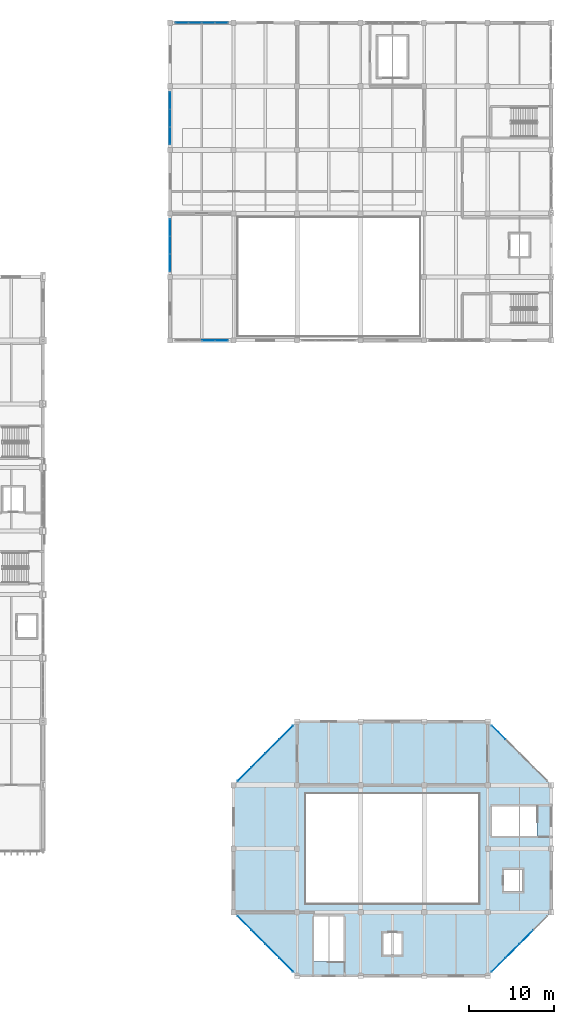
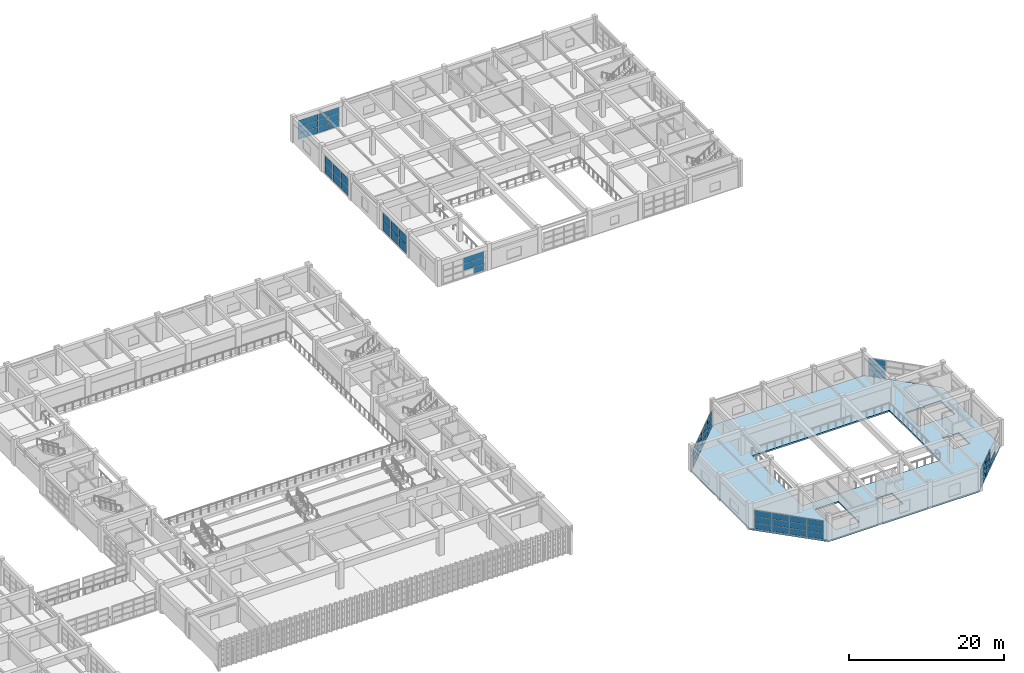
# One storey, part 84 of 124: 63 plates, 1 slab, 8 elements without a shape of their own.
"""IFC4 building model written with IfcOpenShell, lengths in metres."""

from ifc_helpers import new_model, si_unit, direction, frame, origin, origin_2d, place, context, subcontext, project, spatial, polyline, rectangle, outline, extrude, material, layer, layer_set, type_object, element, aggregate, save


model = new_model("IFC4")

# Units and contexts
model_context = context("Model", 3, precision=1e-05, world=origin(), true_north=direction((0.0, 1.0)))
body_context = subcontext(model_context, "Body", "Model", "MODEL_VIEW")
ifc_project = project(units=[si_unit("LENGTHUNIT", "METRE"), si_unit("AREAUNIT", "SQUARE_METRE"), si_unit("VOLUMEUNIT", "CUBIC_METRE"), si_unit("PLANEANGLEUNIT", "RADIAN"), si_unit("MASSUNIT", "GRAM", prefix="KILO")], contexts=[model_context])

# Site, building, storey
site_placement = place(None, origin())
site = spatial("IfcSite", under=ifc_project, at=site_placement, CompositionType="ELEMENT")
building_placement = place(site_placement, origin())
building = spatial("IfcBuilding", under=site, at=building_placement, Name="Qasida Concert Hall", CompositionType="ELEMENT")
storey_placement = place(building_placement, frame((0.0, 0.0, 9.0)))
storey = spatial("IfcBuildingStorey", under=building, at=storey_placement, Name="L02", CompositionType="ELEMENT", Elevation=9.0)

# Curtain wall, plates
ifc_material_1 = material(Name="Architectural bronze-anodized aluminium and low-E glass", Category="aluminium")
curtain_wall_type_1 = type_object("IfcCurtainWallType", Name="CW-07", PredefinedType="NOTDEFINED", material=ifc_material_1)
curtain_wall_1_placement = place(storey_placement, origin())
curtain_wall_1 = element("IfcCurtainWall", 1, at=curtain_wall_1_placement, inside=storey, type_object=curtain_wall_type_1, Name="L02 curtain wall CW-07 0147", PredefinedType="NOTDEFINED")
ifc_material_2 = material(Name="Solar-control low-E double glazing", Category="glass")
ifc_layer_1 = layer(ifc_material_2, 0.031982421875, Name="Solar-control low-E double glazing")
ifc_layer_set_1 = layer_set([ifc_layer_1], Name="Solar-control low-E double glazing")
plate_type_1 = type_object("IfcPlateType", Name="PLT-CWP-2", PredefinedType="CURTAIN_PANEL", material=ifc_layer_set_1)
plate_1_placement = place(storey_placement, frame((158.77783203125, 1.27783203125, 0.06005859375), z_axis=(0.0, 0.0, 1.0), x_axis=(0.707106781187, 0.707106781187, 0.0)))
plate_1 = element("IfcPlate", 2, at=plate_1_placement, type_object=plate_type_1, Name="CW-07 panel 1.1", PredefinedType="CURTAIN_PANEL", context=body_context, shape_type="SweptSolid", body=[
    extrude(rectangle(XDim=2.244140625, YDim=0.031982421875, at=origin_2d()), origin(), (0.0, 0.0, 1.0), 0.88330078125),
])
plate_2_placement = place(storey_placement, frame((158.77783203125, 1.27783203125, 1.00341796875), z_axis=(0.0, 0.0, 1.0), x_axis=(0.707106781187, 0.707106781187, 0.0)))
plate_2 = element("IfcPlate", 3, at=plate_2_placement, type_object=plate_type_1, Name="CW-07 panel 1.2", PredefinedType="CURTAIN_PANEL", context=body_context, shape_type="SweptSolid", body=[
    extrude(rectangle(XDim=2.244140625, YDim=0.031982421875, at=origin_2d()), origin(), (0.0, 0.0, 1.0), 0.913330078125),
])
plate_3_placement = place(storey_placement, frame((158.77783203125, 1.27783203125, 1.976806640625), z_axis=(0.0, 0.0, 1.0), x_axis=(0.707106781187, 0.707106781187, 0.0)))
plate_3 = element("IfcPlate", 4, at=plate_3_placement, type_object=plate_type_1, Name="CW-07 panel 1.3", PredefinedType="CURTAIN_PANEL", context=body_context, shape_type="SweptSolid", body=[
    extrude(rectangle(XDim=2.244140625, YDim=0.031982421875, at=origin_2d()), origin(), (0.0, 0.0, 1.0), 0.88330078125),
])
plate_4_placement = place(storey_placement, frame((160.422119140625, 2.922119140625, 0.06005859375), z_axis=(0.0, 0.0, 1.0), x_axis=(0.707106781187, 0.707106781187, 0.0)))
plate_4 = element("IfcPlate", 5, at=plate_4_placement, type_object=plate_type_1, Name="CW-07 panel 2.1", PredefinedType="CURTAIN_PANEL", context=body_context, shape_type="SweptSolid", body=[
    extrude(rectangle(XDim=2.276611328125, YDim=0.031982421875, at=origin_2d()), origin(), (0.0, 0.0, 1.0), 0.88330078125),
])
plate_5_placement = place(storey_placement, frame((160.422119140625, 2.922119140625, 1.00341796875), z_axis=(0.0, 0.0, 1.0), x_axis=(0.707106781187, 0.707106781187, 0.0)))
plate_5 = element("IfcPlate", 6, at=plate_5_placement, type_object=plate_type_1, Name="CW-07 panel 2.2", PredefinedType="CURTAIN_PANEL", context=body_context, shape_type="SweptSolid", body=[
    extrude(rectangle(XDim=2.276611328125, YDim=0.031982421875, at=origin_2d()), origin(), (0.0, 0.0, 1.0), 0.913330078125),
])
plate_6_placement = place(storey_placement, frame((160.422119140625, 2.922119140625, 1.976806640625), z_axis=(0.0, 0.0, 1.0), x_axis=(0.707106781187, 0.707106781187, 0.0)))
plate_6 = element("IfcPlate", 7, at=plate_6_placement, type_object=plate_type_1, Name="CW-07 panel 2.3", PredefinedType="CURTAIN_PANEL", context=body_context, shape_type="SweptSolid", body=[
    extrude(rectangle(XDim=2.276611328125, YDim=0.031982421875, at=origin_2d()), origin(), (0.0, 0.0, 1.0), 0.88330078125),
])
plate_7_placement = place(storey_placement, frame((162.077880859375, 4.577880859375, 0.06005859375), z_axis=(0.0, 0.0, 1.0), x_axis=(0.707106781187, 0.707106781187, 0.0)))
plate_7 = element("IfcPlate", 8, at=plate_7_placement, type_object=plate_type_1, Name="CW-07 panel 3.1", PredefinedType="CURTAIN_PANEL", context=body_context, shape_type="SweptSolid", body=[
    extrude(rectangle(XDim=2.276611328125, YDim=0.031982421875, at=origin_2d()), origin(), (0.0, 0.0, 1.0), 0.88330078125),
])
aggregate(curtain_wall_1, [plate_1, plate_2, plate_3, plate_4, plate_5, plate_6, plate_7])

curtain_wall_2_placement = place(storey_placement, origin())
curtain_wall_2 = element("IfcCurtainWall", 9, at=curtain_wall_2_placement, inside=storey, type_object=curtain_wall_type_1, Name="L02 curtain wall CW-07 0148", PredefinedType="NOTDEFINED")
plate_8_placement = place(storey_placement, frame((158.77783203125, 28.72216796875, 0.06005859375), z_axis=(0.0, 0.0, 1.0), x_axis=(-0.707106781187, 0.707106781187, 0.0)))
plate_8 = element("IfcPlate", 10, at=plate_8_placement, type_object=plate_type_1, Name="CW-07 panel 4.1", PredefinedType="CURTAIN_PANEL", context=body_context, shape_type="SweptSolid", body=[
    extrude(rectangle(XDim=2.244140625, YDim=0.031982421875, at=origin_2d()), origin(), (0.0, 0.0, 1.0), 0.88330078125),
])
plate_9_placement = place(storey_placement, frame((158.77783203125, 28.72216796875, 1.00341796875), z_axis=(0.0, 0.0, 1.0), x_axis=(-0.707106781187, 0.707106781187, 0.0)))
plate_9 = element("IfcPlate", 11, at=plate_9_placement, type_object=plate_type_1, Name="CW-07 panel 4.2", PredefinedType="CURTAIN_PANEL", context=body_context, shape_type="SweptSolid", body=[
    extrude(rectangle(XDim=2.244140625, YDim=0.031982421875, at=origin_2d()), origin(), (0.0, 0.0, 1.0), 0.913330078125),
])
plate_10_placement = place(storey_placement, frame((158.77783203125, 28.72216796875, 1.976806640625), z_axis=(0.0, 0.0, 1.0), x_axis=(-0.707106781187, 0.707106781187, 0.0)))
plate_10 = element("IfcPlate", 12, at=plate_10_placement, type_object=plate_type_1, Name="CW-07 panel 4.3", PredefinedType="CURTAIN_PANEL", context=body_context, shape_type="SweptSolid", body=[
    extrude(rectangle(XDim=2.244140625, YDim=0.031982421875, at=origin_2d()), origin(), (0.0, 0.0, 1.0), 0.88330078125),
])
aggregate(curtain_wall_2, [plate_8, plate_9, plate_10])

curtain_wall_3_placement = place(storey_placement, origin())
curtain_wall_3 = element("IfcCurtainWall", 13, at=curtain_wall_3_placement, inside=storey, type_object=curtain_wall_type_1, Name="L02 curtain wall CW-07 0149", PredefinedType="NOTDEFINED")
plate_11_placement = place(storey_placement, frame((133.72216796875, 28.72216796875, 0.06005859375), z_axis=(0.0, 0.0, 1.0), x_axis=(-0.707106781187, -0.707106781187, 0.0)))
plate_11 = element("IfcPlate", 14, at=plate_11_placement, type_object=plate_type_1, Name="CW-07 panel 1.1", PredefinedType="CURTAIN_PANEL", context=body_context, shape_type="SweptSolid", body=[
    extrude(rectangle(XDim=2.244140625, YDim=0.031982421875, at=origin_2d()), origin(), (0.0, 0.0, 1.0), 0.85009765625),
])
plate_12_placement = place(storey_placement, frame((133.72216796875, 28.72216796875, 0.969970703125), z_axis=(0.0, 0.0, 1.0), x_axis=(-0.707106781187, -0.707106781187, 0.0)))
plate_12 = element("IfcPlate", 15, at=plate_12_placement, type_object=plate_type_1, Name="CW-07 panel 1.2", PredefinedType="CURTAIN_PANEL", context=body_context, shape_type="SweptSolid", body=[
    extrude(rectangle(XDim=2.244140625, YDim=0.031982421875, at=origin_2d()), origin(), (0.0, 0.0, 1.0), 0.8798828125),
])
plate_13_placement = place(storey_placement, frame((133.72216796875, 28.72216796875, 1.909912109375), z_axis=(0.0, 0.0, 1.0), x_axis=(-0.707106781187, -0.707106781187, 0.0)))
plate_13 = element("IfcPlate", 16, at=plate_13_placement, type_object=plate_type_1, Name="CW-07 panel 1.3", PredefinedType="CURTAIN_PANEL", context=body_context, shape_type="SweptSolid", body=[
    extrude(rectangle(XDim=2.244140625, YDim=0.031982421875, at=origin_2d()), origin(), (0.0, 0.0, 1.0), 0.85009765625),
])
plate_14_placement = place(storey_placement, frame((132.077880859375, 27.077880859375, 0.06005859375), z_axis=(0.0, 0.0, 1.0), x_axis=(-0.707106781187, -0.707106781187, 0.0)))
plate_14 = element("IfcPlate", 17, at=plate_14_placement, type_object=plate_type_1, Name="CW-07 panel 2.1", PredefinedType="CURTAIN_PANEL", context=body_context, shape_type="SweptSolid", body=[
    extrude(rectangle(XDim=2.276611328125, YDim=0.031982421875, at=origin_2d()), origin(), (0.0, 0.0, 1.0), 0.85009765625),
])
plate_15_placement = place(storey_placement, frame((132.077880859375, 27.077880859375, 0.969970703125), z_axis=(0.0, 0.0, 1.0), x_axis=(-0.707106781187, -0.707106781187, 0.0)))
plate_15 = element("IfcPlate", 18, at=plate_15_placement, type_object=plate_type_1, Name="CW-07 panel 2.2", PredefinedType="CURTAIN_PANEL", context=body_context, shape_type="SweptSolid", body=[
    extrude(rectangle(XDim=2.276611328125, YDim=0.031982421875, at=origin_2d()), origin(), (0.0, 0.0, 1.0), 0.8798828125),
])
plate_16_placement = place(storey_placement, frame((132.077880859375, 27.077880859375, 1.909912109375), z_axis=(0.0, 0.0, 1.0), x_axis=(-0.707106781187, -0.707106781187, 0.0)))
plate_16 = element("IfcPlate", 19, at=plate_16_placement, type_object=plate_type_1, Name="CW-07 panel 2.3", PredefinedType="CURTAIN_PANEL", context=body_context, shape_type="SweptSolid", body=[
    extrude(rectangle(XDim=2.276611328125, YDim=0.031982421875, at=origin_2d()), origin(), (0.0, 0.0, 1.0), 0.85009765625),
])
plate_17_placement = place(storey_placement, frame((130.422119140625, 25.422119140625, 0.06005859375), z_axis=(0.0, 0.0, 1.0), x_axis=(-0.707106781187, -0.707106781187, 0.0)))
plate_17 = element("IfcPlate", 20, at=plate_17_placement, type_object=plate_type_1, Name="CW-07 panel 3.1", PredefinedType="CURTAIN_PANEL", context=body_context, shape_type="SweptSolid", body=[
    extrude(rectangle(XDim=2.276611328125, YDim=0.031982421875, at=origin_2d()), origin(), (0.0, 0.0, 1.0), 0.85009765625),
])
plate_18_placement = place(storey_placement, frame((130.422119140625, 25.422119140625, 0.969970703125), z_axis=(0.0, 0.0, 1.0), x_axis=(-0.707106781187, -0.707106781187, 0.0)))
plate_18 = element("IfcPlate", 21, at=plate_18_placement, type_object=plate_type_1, Name="CW-07 panel 3.2", PredefinedType="CURTAIN_PANEL", context=body_context, shape_type="SweptSolid", body=[
    extrude(rectangle(XDim=2.276611328125, YDim=0.031982421875, at=origin_2d()), origin(), (0.0, 0.0, 1.0), 0.8798828125),
])
plate_19_placement = place(storey_placement, frame((130.422119140625, 25.422119140625, 1.909912109375), z_axis=(0.0, 0.0, 1.0), x_axis=(-0.707106781187, -0.707106781187, 0.0)))
plate_19 = element("IfcPlate", 22, at=plate_19_placement, type_object=plate_type_1, Name="CW-07 panel 3.3", PredefinedType="CURTAIN_PANEL", context=body_context, shape_type="SweptSolid", body=[
    extrude(rectangle(XDim=2.276611328125, YDim=0.031982421875, at=origin_2d()), origin(), (0.0, 0.0, 1.0), 0.85009765625),
])
plate_20_placement = place(storey_placement, frame((128.77783203125, 23.77783203125, 0.06005859375), z_axis=(0.0, 0.0, 1.0), x_axis=(-0.707106781187, -0.707106781187, 0.0)))
plate_20 = element("IfcPlate", 23, at=plate_20_placement, type_object=plate_type_1, Name="CW-07 panel 4.1", PredefinedType="CURTAIN_PANEL", context=body_context, shape_type="SweptSolid", body=[
    extrude(rectangle(XDim=2.244140625, YDim=0.031982421875, at=origin_2d()), origin(), (0.0, 0.0, 1.0), 0.85009765625),
])
plate_21_placement = place(storey_placement, frame((128.77783203125, 23.77783203125, 0.969970703125), z_axis=(0.0, 0.0, 1.0), x_axis=(-0.707106781187, -0.707106781187, 0.0)))
plate_21 = element("IfcPlate", 24, at=plate_21_placement, type_object=plate_type_1, Name="CW-07 panel 4.2", PredefinedType="CURTAIN_PANEL", context=body_context, shape_type="SweptSolid", body=[
    extrude(rectangle(XDim=2.244140625, YDim=0.031982421875, at=origin_2d()), origin(), (0.0, 0.0, 1.0), 0.8798828125),
])
plate_22_placement = place(storey_placement, frame((128.77783203125, 23.77783203125, 1.909912109375), z_axis=(0.0, 0.0, 1.0), x_axis=(-0.707106781187, -0.707106781187, 0.0)))
plate_22 = element("IfcPlate", 25, at=plate_22_placement, type_object=plate_type_1, Name="CW-07 panel 4.3", PredefinedType="CURTAIN_PANEL", context=body_context, shape_type="SweptSolid", body=[
    extrude(rectangle(XDim=2.244140625, YDim=0.031982421875, at=origin_2d()), origin(), (0.0, 0.0, 1.0), 0.85009765625),
])
aggregate(curtain_wall_3, [plate_11, plate_12, plate_13, plate_14, plate_15, plate_16, plate_17, plate_18, plate_19, plate_20, plate_21, plate_22])

curtain_wall_4_placement = place(storey_placement, origin())
curtain_wall_4 = element("IfcCurtainWall", 26, at=curtain_wall_4_placement, inside=storey, type_object=curtain_wall_type_1, Name="L02 curtain wall CW-07 0150", PredefinedType="NOTDEFINED")
plate_23_placement = place(storey_placement, frame((128.77783203125, 6.22216796875, 0.06005859375), z_axis=(0.0, 0.0, 1.0), x_axis=(0.707106781187, -0.707106781187, 0.0)))
plate_23 = element("IfcPlate", 27, at=plate_23_placement, type_object=plate_type_1, Name="CW-07 panel 1.1", PredefinedType="CURTAIN_PANEL", context=body_context, shape_type="SweptSolid", body=[
    extrude(rectangle(XDim=2.244140625, YDim=0.031982421875, at=origin_2d()), origin(), (0.0, 0.0, 1.0), 0.916748046875),
])
plate_24_placement = place(storey_placement, frame((128.77783203125, 6.22216796875, 1.03662109375), z_axis=(0.0, 0.0, 1.0), x_axis=(0.707106781187, -0.707106781187, 0.0)))
plate_24 = element("IfcPlate", 28, at=plate_24_placement, type_object=plate_type_1, Name="CW-07 panel 1.2", PredefinedType="CURTAIN_PANEL", context=body_context, shape_type="SweptSolid", body=[
    extrude(rectangle(XDim=2.244140625, YDim=0.031982421875, at=origin_2d()), origin(), (0.0, 0.0, 1.0), 0.946533203125),
])
plate_25_placement = place(storey_placement, frame((128.77783203125, 6.22216796875, 2.04345703125), z_axis=(0.0, 0.0, 1.0), x_axis=(0.707106781187, -0.707106781187, 0.0)))
plate_25 = element("IfcPlate", 29, at=plate_25_placement, type_object=plate_type_1, Name="CW-07 panel 1.3", PredefinedType="CURTAIN_PANEL", context=body_context, shape_type="SweptSolid", body=[
    extrude(rectangle(XDim=2.244140625, YDim=0.031982421875, at=origin_2d()), origin(), (0.0, 0.0, 1.0), 0.916748046875),
])
plate_26_placement = place(storey_placement, frame((130.422119140625, 4.577880859375, 0.06005859375), z_axis=(0.0, 0.0, 1.0), x_axis=(0.707106781187, -0.707106781187, 0.0)))
plate_26 = element("IfcPlate", 30, at=plate_26_placement, type_object=plate_type_1, Name="CW-07 panel 2.1", PredefinedType="CURTAIN_PANEL", context=body_context, shape_type="SweptSolid", body=[
    extrude(rectangle(XDim=2.276611328125, YDim=0.031982421875, at=origin_2d()), origin(), (0.0, 0.0, 1.0), 0.916748046875),
])
plate_27_placement = place(storey_placement, frame((130.422119140625, 4.577880859375, 1.03662109375), z_axis=(0.0, 0.0, 1.0), x_axis=(0.707106781187, -0.707106781187, 0.0)))
plate_27 = element("IfcPlate", 31, at=plate_27_placement, type_object=plate_type_1, Name="CW-07 panel 2.2", PredefinedType="CURTAIN_PANEL", context=body_context, shape_type="SweptSolid", body=[
    extrude(rectangle(XDim=2.276611328125, YDim=0.031982421875, at=origin_2d()), origin(), (0.0, 0.0, 1.0), 0.946533203125),
])
plate_28_placement = place(storey_placement, frame((130.422119140625, 4.577880859375, 2.04345703125), z_axis=(0.0, 0.0, 1.0), x_axis=(0.707106781187, -0.707106781187, 0.0)))
plate_28 = element("IfcPlate", 32, at=plate_28_placement, type_object=plate_type_1, Name="CW-07 panel 2.3", PredefinedType="CURTAIN_PANEL", context=body_context, shape_type="SweptSolid", body=[
    extrude(rectangle(XDim=2.276611328125, YDim=0.031982421875, at=origin_2d()), origin(), (0.0, 0.0, 1.0), 0.916748046875),
])
plate_29_placement = place(storey_placement, frame((132.077880859375, 2.922119140625, 0.06005859375), z_axis=(0.0, 0.0, 1.0), x_axis=(0.707106781187, -0.707106781187, 0.0)))
plate_29 = element("IfcPlate", 33, at=plate_29_placement, type_object=plate_type_1, Name="CW-07 panel 3.1", PredefinedType="CURTAIN_PANEL", context=body_context, shape_type="SweptSolid", body=[
    extrude(rectangle(XDim=2.276611328125, YDim=0.031982421875, at=origin_2d()), origin(), (0.0, 0.0, 1.0), 0.916748046875),
])
plate_30_placement = place(storey_placement, frame((132.077880859375, 2.922119140625, 1.03662109375), z_axis=(0.0, 0.0, 1.0), x_axis=(0.707106781187, -0.707106781187, 0.0)))
plate_30 = element("IfcPlate", 34, at=plate_30_placement, type_object=plate_type_1, Name="CW-07 panel 3.2", PredefinedType="CURTAIN_PANEL", context=body_context, shape_type="SweptSolid", body=[
    extrude(rectangle(XDim=2.276611328125, YDim=0.031982421875, at=origin_2d()), origin(), (0.0, 0.0, 1.0), 0.946533203125),
])
plate_31_placement = place(storey_placement, frame((132.077880859375, 2.922119140625, 2.04345703125), z_axis=(0.0, 0.0, 1.0), x_axis=(0.707106781187, -0.707106781187, 0.0)))
plate_31 = element("IfcPlate", 35, at=plate_31_placement, type_object=plate_type_1, Name="CW-07 panel 3.3", PredefinedType="CURTAIN_PANEL", context=body_context, shape_type="SweptSolid", body=[
    extrude(rectangle(XDim=2.276611328125, YDim=0.031982421875, at=origin_2d()), origin(), (0.0, 0.0, 1.0), 0.916748046875),
])
plate_32_placement = place(storey_placement, frame((133.72216796875, 1.27783203125, 0.06005859375), z_axis=(0.0, 0.0, 1.0), x_axis=(0.707106781187, -0.707106781187, 0.0)))
plate_32 = element("IfcPlate", 36, at=plate_32_placement, type_object=plate_type_1, Name="CW-07 panel 4.1", PredefinedType="CURTAIN_PANEL", context=body_context, shape_type="SweptSolid", body=[
    extrude(rectangle(XDim=2.244140625, YDim=0.031982421875, at=origin_2d()), origin(), (0.0, 0.0, 1.0), 0.916748046875),
])
plate_33_placement = place(storey_placement, frame((133.72216796875, 1.27783203125, 1.03662109375), z_axis=(0.0, 0.0, 1.0), x_axis=(0.707106781187, -0.707106781187, 0.0)))
plate_33 = element("IfcPlate", 37, at=plate_33_placement, type_object=plate_type_1, Name="CW-07 panel 4.2", PredefinedType="CURTAIN_PANEL", context=body_context, shape_type="SweptSolid", body=[
    extrude(rectangle(XDim=2.244140625, YDim=0.031982421875, at=origin_2d()), origin(), (0.0, 0.0, 1.0), 0.946533203125),
])
plate_34_placement = place(storey_placement, frame((133.72216796875, 1.27783203125, 2.04345703125), z_axis=(0.0, 0.0, 1.0), x_axis=(0.707106781187, -0.707106781187, 0.0)))
plate_34 = element("IfcPlate", 38, at=plate_34_placement, type_object=plate_type_1, Name="CW-07 panel 4.3", PredefinedType="CURTAIN_PANEL", context=body_context, shape_type="SweptSolid", body=[
    extrude(rectangle(XDim=2.244140625, YDim=0.031982421875, at=origin_2d()), origin(), (0.0, 0.0, 1.0), 0.916748046875),
])
aggregate(curtain_wall_4, [plate_23, plate_24, plate_25, plate_26, plate_27, plate_28, plate_29, plate_30, plate_31, plate_32, plate_33, plate_34])

curtain_wall_type_2 = type_object("IfcCurtainWallType", Name="CW-03", PredefinedType="NOTDEFINED", material=ifc_material_1)
curtain_wall_5_placement = place(storey_placement, origin())
curtain_wall_5 = element("IfcCurtainWall", 39, at=curtain_wall_5_placement, inside=storey, type_object=curtain_wall_type_2, Name="L02 curtain wall CW-03 0169", PredefinedType="NOTDEFINED")
plate_35_placement = place(storey_placement, frame((124.532470703125, 75.0, 1.070068359375), z_axis=(0.0, 0.0, 1.0), x_axis=(1.0, 0.0, 0.0)))
plate_35 = element("IfcPlate", 40, at=plate_35_placement, type_object=plate_type_1, Name="CW-03 panel 3.2", PredefinedType="CURTAIN_PANEL", context=body_context, shape_type="SweptSolid", body=[
    extrude(rectangle(XDim=1.5, YDim=0.031982421875, at=origin_2d()), origin(), (0.0, 0.0, 1.0), 0.97998046875),
])
plate_36_placement = place(storey_placement, frame((124.532470703125, 75.0, 2.10986328125), z_axis=(0.0, 0.0, 1.0), x_axis=(1.0, 0.0, 0.0)))
plate_36 = element("IfcPlate", 41, at=plate_36_placement, type_object=plate_type_1, Name="CW-03 panel 3.3", PredefinedType="CURTAIN_PANEL", context=body_context, shape_type="SweptSolid", body=[
    extrude(rectangle(XDim=1.5, YDim=0.031982421875, at=origin_2d()), origin(), (0.0, 0.0, 1.0), 0.949951171875),
])
plate_37_placement = place(storey_placement, frame((126.081298828125, 75.0, 0.06005859375), z_axis=(0.0, 0.0, 1.0), x_axis=(1.0, 0.0, 0.0)))
plate_37 = element("IfcPlate", 42, at=plate_37_placement, type_object=plate_type_1, Name="CW-03 panel 4.1", PredefinedType="CURTAIN_PANEL", context=body_context, shape_type="SweptSolid", body=[
    extrude(rectangle(XDim=1.467529296875, YDim=0.031982421875, at=origin_2d()), origin(), (0.0, 0.0, 1.0), 0.949951171875),
])
plate_38_placement = place(storey_placement, frame((126.081298828125, 75.0, 1.070068359375), z_axis=(0.0, 0.0, 1.0), x_axis=(1.0, 0.0, 0.0)))
plate_38 = element("IfcPlate", 43, at=plate_38_placement, type_object=plate_type_1, Name="CW-03 panel 4.2", PredefinedType="CURTAIN_PANEL", context=body_context, shape_type="SweptSolid", body=[
    extrude(rectangle(XDim=1.467529296875, YDim=0.031982421875, at=origin_2d()), origin(), (0.0, 0.0, 1.0), 0.97998046875),
])
plate_39_placement = place(storey_placement, frame((126.081298828125, 75.0, 2.10986328125), z_axis=(0.0, 0.0, 1.0), x_axis=(1.0, 0.0, 0.0)))
plate_39 = element("IfcPlate", 44, at=plate_39_placement, type_object=plate_type_1, Name="CW-03 panel 4.3", PredefinedType="CURTAIN_PANEL", context=body_context, shape_type="SweptSolid", body=[
    extrude(rectangle(XDim=1.467529296875, YDim=0.031982421875, at=origin_2d()), origin(), (0.0, 0.0, 1.0), 0.949951171875),
])
aggregate(curtain_wall_5, [plate_35, plate_36, plate_37, plate_38, plate_39])

curtain_wall_type_3 = type_object("IfcCurtainWallType", Name="CW-04", PredefinedType="NOTDEFINED", material=ifc_material_1)
curtain_wall_6_placement = place(storey_placement, origin())
curtain_wall_6 = element("IfcCurtainWall", 45, at=curtain_wall_6_placement, inside=storey, type_object=curtain_wall_type_3, Name="L02 curtain wall CW-04 0170", PredefinedType="NOTDEFINED")
plate_40_placement = place(storey_placement, frame((121.418701171875, 112.5, 0.06005859375), z_axis=(0.0, 0.0, 1.0), x_axis=(1.0, 0.0, 0.0)))
plate_40 = element("IfcPlate", 46, at=plate_40_placement, type_object=plate_type_1, Name="CW-04 panel 1.1", PredefinedType="CURTAIN_PANEL", context=body_context, shape_type="SweptSolid", body=[
    extrude(rectangle(XDim=1.467529296875, YDim=0.031982421875, at=origin_2d()), origin(), (0.0, 0.0, 1.0), 0.949951171875),
])
plate_41_placement = place(storey_placement, frame((121.418701171875, 112.5, 1.070068359375), z_axis=(0.0, 0.0, 1.0), x_axis=(1.0, 0.0, 0.0)))
plate_41 = element("IfcPlate", 47, at=plate_41_placement, type_object=plate_type_1, Name="CW-04 panel 1.2", PredefinedType="CURTAIN_PANEL", context=body_context, shape_type="SweptSolid", body=[
    extrude(rectangle(XDim=1.467529296875, YDim=0.031982421875, at=origin_2d()), origin(), (0.0, 0.0, 1.0), 0.97998046875),
])
plate_42_placement = place(storey_placement, frame((121.418701171875, 112.5, 2.10986328125), z_axis=(0.0, 0.0, 1.0), x_axis=(1.0, 0.0, 0.0)))
plate_42 = element("IfcPlate", 48, at=plate_42_placement, type_object=plate_type_1, Name="CW-04 panel 1.3", PredefinedType="CURTAIN_PANEL", context=body_context, shape_type="SweptSolid", body=[
    extrude(rectangle(XDim=1.467529296875, YDim=0.031982421875, at=origin_2d()), origin(), (0.0, 0.0, 1.0), 0.949951171875),
])
plate_43_placement = place(storey_placement, frame((122.967529296875, 112.5, 0.06005859375), z_axis=(0.0, 0.0, 1.0), x_axis=(1.0, 0.0, 0.0)))
plate_43 = element("IfcPlate", 49, at=plate_43_placement, type_object=plate_type_1, Name="CW-04 panel 2.1", PredefinedType="CURTAIN_PANEL", context=body_context, shape_type="SweptSolid", body=[
    extrude(rectangle(XDim=1.5, YDim=0.031982421875, at=origin_2d()), origin(), (0.0, 0.0, 1.0), 0.949951171875),
])
plate_44_placement = place(storey_placement, frame((122.967529296875, 112.5, 1.070068359375), z_axis=(0.0, 0.0, 1.0), x_axis=(1.0, 0.0, 0.0)))
plate_44 = element("IfcPlate", 50, at=plate_44_placement, type_object=plate_type_1, Name="CW-04 panel 2.2", PredefinedType="CURTAIN_PANEL", context=body_context, shape_type="SweptSolid", body=[
    extrude(rectangle(XDim=1.5, YDim=0.031982421875, at=origin_2d()), origin(), (0.0, 0.0, 1.0), 0.97998046875),
])
plate_45_placement = place(storey_placement, frame((122.967529296875, 112.5, 2.10986328125), z_axis=(0.0, 0.0, 1.0), x_axis=(1.0, 0.0, 0.0)))
plate_45 = element("IfcPlate", 51, at=plate_45_placement, type_object=plate_type_1, Name="CW-04 panel 2.3", PredefinedType="CURTAIN_PANEL", context=body_context, shape_type="SweptSolid", body=[
    extrude(rectangle(XDim=1.5, YDim=0.031982421875, at=origin_2d()), origin(), (0.0, 0.0, 1.0), 0.949951171875),
])
plate_46_placement = place(storey_placement, frame((124.532470703125, 112.5, 0.06005859375), z_axis=(0.0, 0.0, 1.0), x_axis=(1.0, 0.0, 0.0)))
plate_46 = element("IfcPlate", 52, at=plate_46_placement, type_object=plate_type_1, Name="CW-04 panel 3.1", PredefinedType="CURTAIN_PANEL", context=body_context, shape_type="SweptSolid", body=[
    extrude(rectangle(XDim=1.5, YDim=0.031982421875, at=origin_2d()), origin(), (0.0, 0.0, 1.0), 0.949951171875),
])
plate_47_placement = place(storey_placement, frame((124.532470703125, 112.5, 1.070068359375), z_axis=(0.0, 0.0, 1.0), x_axis=(1.0, 0.0, 0.0)))
plate_47 = element("IfcPlate", 53, at=plate_47_placement, type_object=plate_type_1, Name="CW-04 panel 3.2", PredefinedType="CURTAIN_PANEL", context=body_context, shape_type="SweptSolid", body=[
    extrude(rectangle(XDim=1.5, YDim=0.031982421875, at=origin_2d()), origin(), (0.0, 0.0, 1.0), 0.97998046875),
])
plate_48_placement = place(storey_placement, frame((124.532470703125, 112.5, 2.10986328125), z_axis=(0.0, 0.0, 1.0), x_axis=(1.0, 0.0, 0.0)))
plate_48 = element("IfcPlate", 54, at=plate_48_placement, type_object=plate_type_1, Name="CW-04 panel 3.3", PredefinedType="CURTAIN_PANEL", context=body_context, shape_type="SweptSolid", body=[
    extrude(rectangle(XDim=1.5, YDim=0.031982421875, at=origin_2d()), origin(), (0.0, 0.0, 1.0), 0.949951171875),
])
plate_49_placement = place(storey_placement, frame((126.081298828125, 112.5, 0.06005859375), z_axis=(0.0, 0.0, 1.0), x_axis=(1.0, 0.0, 0.0)))
plate_49 = element("IfcPlate", 55, at=plate_49_placement, type_object=plate_type_1, Name="CW-04 panel 4.1", PredefinedType="CURTAIN_PANEL", context=body_context, shape_type="SweptSolid", body=[
    extrude(rectangle(XDim=1.467529296875, YDim=0.031982421875, at=origin_2d()), origin(), (0.0, 0.0, 1.0), 0.949951171875),
])
plate_50_placement = place(storey_placement, frame((126.081298828125, 112.5, 1.070068359375), z_axis=(0.0, 0.0, 1.0), x_axis=(1.0, 0.0, 0.0)))
plate_50 = element("IfcPlate", 56, at=plate_50_placement, type_object=plate_type_1, Name="CW-04 panel 4.2", PredefinedType="CURTAIN_PANEL", context=body_context, shape_type="SweptSolid", body=[
    extrude(rectangle(XDim=1.467529296875, YDim=0.031982421875, at=origin_2d()), origin(), (0.0, 0.0, 1.0), 0.97998046875),
])
plate_51_placement = place(storey_placement, frame((126.081298828125, 112.5, 2.10986328125), z_axis=(0.0, 0.0, 1.0), x_axis=(1.0, 0.0, 0.0)))
plate_51 = element("IfcPlate", 57, at=plate_51_placement, type_object=plate_type_1, Name="CW-04 panel 4.3", PredefinedType="CURTAIN_PANEL", context=body_context, shape_type="SweptSolid", body=[
    extrude(rectangle(XDim=1.467529296875, YDim=0.031982421875, at=origin_2d()), origin(), (0.0, 0.0, 1.0), 0.949951171875),
])
aggregate(curtain_wall_6, [plate_40, plate_41, plate_42, plate_43, plate_44, plate_45, plate_46, plate_47, plate_48, plate_49, plate_50, plate_51])

curtain_wall_type_4 = type_object("IfcCurtainWallType", Name="CW-09", PredefinedType="NOTDEFINED", material=ifc_material_1)
curtain_wall_7_placement = place(storey_placement, origin())
curtain_wall_7 = element("IfcCurtainWall", 58, at=curtain_wall_7_placement, inside=storey, type_object=curtain_wall_type_4, Name="L02 curtain wall CW-09 0174", PredefinedType="NOTDEFINED")
ifc_layer_2 = layer(ifc_material_2, 0.028076171875, Name="Solar-control low-E double glazing")
ifc_layer_set_2 = layer_set([ifc_layer_2], Name="Solar-control low-E double glazing")
plate_type_2 = type_object("IfcPlateType", Name="PLT-CWP-3", PredefinedType="CURTAIN_PANEL", material=ifc_layer_set_2)
plate_52_placement = place(storey_placement, frame((120.0, 84.17822265625, 0.06005859375), z_axis=(0.0, 0.0, 1.0), x_axis=(0.0, 1.0, 0.0)))
plate_52 = element("IfcPlate", 59, at=plate_52_placement, type_object=plate_type_2, Name="CW-09 panel 1.1", PredefinedType="CURTAIN_PANEL", context=body_context, shape_type="SweptSolid", body=[
    extrude(rectangle(XDim=1.99658203125, YDim=0.028076171875, at=origin_2d()), origin(), (0.0, 0.0, 1.0), 1.3701171875),
])
plate_53_placement = place(storey_placement, frame((120.0, 84.17822265625, 1.489990234375), z_axis=(0.0, 0.0, 1.0), x_axis=(0.0, 1.0, 0.0)))
plate_53 = element("IfcPlate", 60, at=plate_53_placement, type_object=plate_type_2, Name="CW-09 panel 1.2", PredefinedType="CURTAIN_PANEL", context=body_context, shape_type="SweptSolid", body=[
    extrude(rectangle(XDim=1.99658203125, YDim=0.028076171875, at=origin_2d()), origin(), (0.0, 0.0, 1.0), 1.3701171875),
])
plate_54_placement = place(storey_placement, frame((120.0, 86.25, 0.06005859375), z_axis=(0.0, 0.0, 1.0), x_axis=(0.0, 1.0, 0.0)))
plate_54 = element("IfcPlate", 61, at=plate_54_placement, type_object=plate_type_2, Name="CW-09 panel 2.1", PredefinedType="CURTAIN_PANEL", context=body_context, shape_type="SweptSolid", body=[
    extrude(rectangle(XDim=2.026611328125, YDim=0.028076171875, at=origin_2d()), origin(), (0.0, 0.0, 1.0), 1.3701171875),
])
plate_55_placement = place(storey_placement, frame((120.0, 86.25, 1.489990234375), z_axis=(0.0, 0.0, 1.0), x_axis=(0.0, 1.0, 0.0)))
plate_55 = element("IfcPlate", 62, at=plate_55_placement, type_object=plate_type_2, Name="CW-09 panel 2.2", PredefinedType="CURTAIN_PANEL", context=body_context, shape_type="SweptSolid", body=[
    extrude(rectangle(XDim=2.026611328125, YDim=0.028076171875, at=origin_2d()), origin(), (0.0, 0.0, 1.0), 1.3701171875),
])
plate_56_placement = place(storey_placement, frame((120.0, 88.32177734375, 0.06005859375), z_axis=(0.0, 0.0, 1.0), x_axis=(0.0, 1.0, 0.0)))
plate_56 = element("IfcPlate", 63, at=plate_56_placement, type_object=plate_type_2, Name="CW-09 panel 3.1", PredefinedType="CURTAIN_PANEL", context=body_context, shape_type="SweptSolid", body=[
    extrude(rectangle(XDim=1.99658203125, YDim=0.028076171875, at=origin_2d()), origin(), (0.0, 0.0, 1.0), 1.3701171875),
])
plate_57_placement = place(storey_placement, frame((120.0, 88.32177734375, 1.489990234375), z_axis=(0.0, 0.0, 1.0), x_axis=(0.0, 1.0, 0.0)))
plate_57 = element("IfcPlate", 64, at=plate_57_placement, type_object=plate_type_2, Name="CW-09 panel 3.2", PredefinedType="CURTAIN_PANEL", context=body_context, shape_type="SweptSolid", body=[
    extrude(rectangle(XDim=1.99658203125, YDim=0.028076171875, at=origin_2d()), origin(), (0.0, 0.0, 1.0), 1.3701171875),
])
aggregate(curtain_wall_7, [plate_52, plate_53, plate_54, plate_55, plate_56, plate_57])

curtain_wall_8_placement = place(storey_placement, origin())
curtain_wall_8 = element("IfcCurtainWall", 65, at=curtain_wall_8_placement, inside=storey, type_object=curtain_wall_type_4, Name="L02 curtain wall CW-09 0176", PredefinedType="NOTDEFINED")
plate_58_placement = place(storey_placement, frame((120.0, 99.17822265625, 0.06005859375), z_axis=(0.0, 0.0, 1.0), x_axis=(0.0, 1.0, 0.0)))
plate_58 = element("IfcPlate", 66, at=plate_58_placement, type_object=plate_type_2, Name="CW-09 panel 1.1", PredefinedType="CURTAIN_PANEL", context=body_context, shape_type="SweptSolid", body=[
    extrude(rectangle(XDim=1.99658203125, YDim=0.028076171875, at=origin_2d()), origin(), (0.0, 0.0, 1.0), 1.320068359375),
])
plate_59_placement = place(storey_placement, frame((120.0, 99.17822265625, 1.43994140625), z_axis=(0.0, 0.0, 1.0), x_axis=(0.0, 1.0, 0.0)))
plate_59 = element("IfcPlate", 67, at=plate_59_placement, type_object=plate_type_2, Name="CW-09 panel 1.2", PredefinedType="CURTAIN_PANEL", context=body_context, shape_type="SweptSolid", body=[
    extrude(rectangle(XDim=1.99658203125, YDim=0.028076171875, at=origin_2d()), origin(), (0.0, 0.0, 1.0), 1.320068359375),
])
plate_60_placement = place(storey_placement, frame((120.0, 101.25, 0.06005859375), z_axis=(0.0, 0.0, 1.0), x_axis=(0.0, 1.0, 0.0)))
plate_60 = element("IfcPlate", 68, at=plate_60_placement, type_object=plate_type_2, Name="CW-09 panel 2.1", PredefinedType="CURTAIN_PANEL", context=body_context, shape_type="SweptSolid", body=[
    extrude(rectangle(XDim=2.026611328125, YDim=0.028076171875, at=origin_2d()), origin(), (0.0, 0.0, 1.0), 1.320068359375),
])
plate_61_placement = place(storey_placement, frame((120.0, 101.25, 1.43994140625), z_axis=(0.0, 0.0, 1.0), x_axis=(0.0, 1.0, 0.0)))
plate_61 = element("IfcPlate", 69, at=plate_61_placement, type_object=plate_type_2, Name="CW-09 panel 2.2", PredefinedType="CURTAIN_PANEL", context=body_context, shape_type="SweptSolid", body=[
    extrude(rectangle(XDim=2.026611328125, YDim=0.028076171875, at=origin_2d()), origin(), (0.0, 0.0, 1.0), 1.320068359375),
])
plate_62_placement = place(storey_placement, frame((120.0, 103.32177734375, 0.06005859375), z_axis=(0.0, 0.0, 1.0), x_axis=(0.0, 1.0, 0.0)))
plate_62 = element("IfcPlate", 70, at=plate_62_placement, type_object=plate_type_2, Name="CW-09 panel 3.1", PredefinedType="CURTAIN_PANEL", context=body_context, shape_type="SweptSolid", body=[
    extrude(rectangle(XDim=1.99658203125, YDim=0.028076171875, at=origin_2d()), origin(), (0.0, 0.0, 1.0), 1.320068359375),
])
plate_63_placement = place(storey_placement, frame((120.0, 103.32177734375, 1.43994140625), z_axis=(0.0, 0.0, 1.0), x_axis=(0.0, 1.0, 0.0)))
plate_63 = element("IfcPlate", 71, at=plate_63_placement, type_object=plate_type_2, Name="CW-09 panel 3.2", PredefinedType="CURTAIN_PANEL", context=body_context, shape_type="SweptSolid", body=[
    extrude(rectangle(XDim=1.99658203125, YDim=0.028076171875, at=origin_2d()), origin(), (0.0, 0.0, 1.0), 1.320068359375),
])
aggregate(curtain_wall_8, [plate_58, plate_59, plate_60, plate_61, plate_62, plate_63])

# Slab
ifc_material_3 = material(Name="Concrete C40/50", Category="concrete")
ifc_layer_3 = layer(ifc_material_3, 0.239990234375, Name="Concrete C40/50")
ifc_layer_set_3 = layer_set([ifc_layer_3], Name="Concrete C40/50")
slab_type = type_object("IfcSlabType", Name="SL-FS-240", PredefinedType="FLOOR", material=ifc_layer_set_3)
slab_placement = place(storey_placement, frame((0.0, 0.0, -0.239990234375)))
element("IfcSlab", 72, at=slab_placement, inside=storey, type_object=slab_type, Name="V2 technical gallery (FS-240)", PredefinedType="FLOOR", context=body_context, shape_type="SweptSolid", body=[
    extrude(outline(polyline([(135.0, 0.0), (157.5, 0.0), (165.0, 7.5), (165.0, 22.5), (157.5, 30.0), (135.0, 30.0), (127.5, 22.5), (127.5, 7.5), (135.0, 0.0)]), holes=[polyline([(137.0, 1.659912109375), (140.5, 1.659912109375), (140.5, 7.02001953125), (137.0, 7.02001953125), (137.0, 1.659912109375)]), polyline([(145.050048828125, 2.35009765625), (147.449951171875, 2.35009765625), (147.449951171875, 5.14990234375), (145.050048828125, 5.14990234375), (145.050048828125, 2.35009765625)]), polyline([(136.0, 8.5), (156.5, 8.5), (156.5, 21.5), (136.0, 21.5), (136.0, 8.5)]), polyline([(159.300048828125, 9.85009765625), (161.699951171875, 9.85009765625), (161.699951171875, 12.64990234375), (159.300048828125, 12.64990234375), (159.300048828125, 9.85009765625)]), polyline([(157.97998046875, 16.5), (163.340087890625, 16.5), (163.340087890625, 20.0), (157.97998046875, 20.0), (157.97998046875, 16.5)])]), origin(), (0.0, 0.0, 1.0), 0.239990234375),
])

save(model, "model.ifc")
